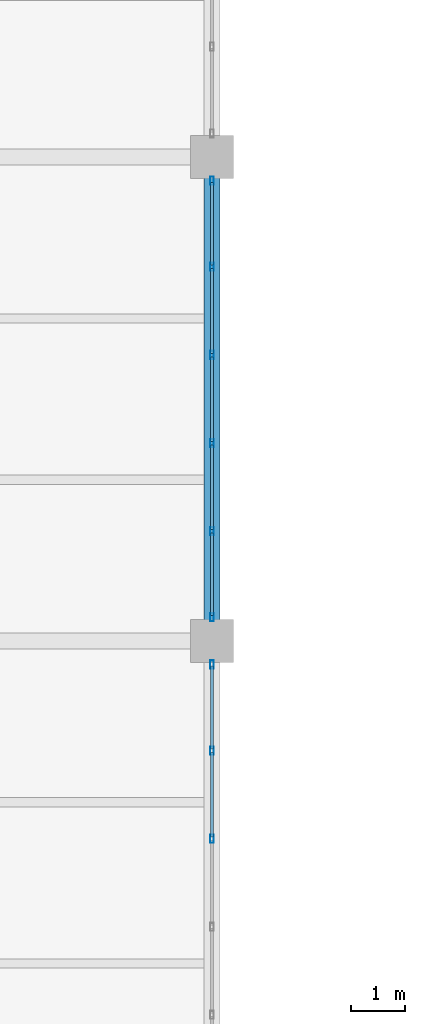
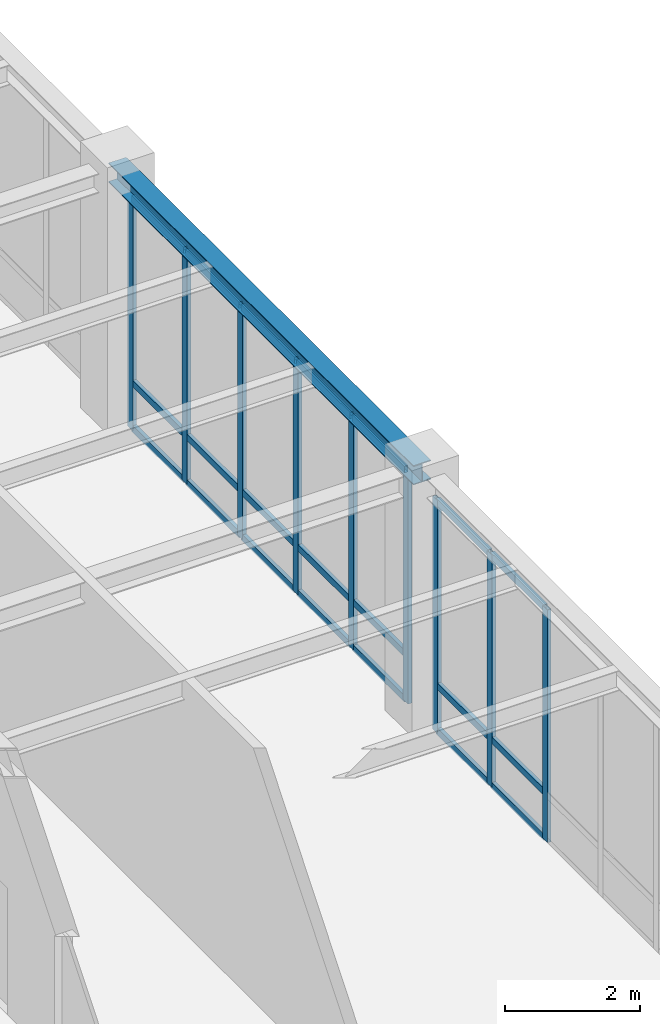
# One storey, part 24 of 92: 30 members, 1 beam, 2 elements without a shape of their own.
"""IFC4 building model written with IfcOpenShell, lengths in metres."""

from ifc_helpers import new_model, si_unit, direction, frame, origin, origin_2d, place, context, subcontext, project, spatial, hollow_rectangle, i_section, extrude, material, material_profile, profile_set, type_object, element, aggregate, save


model = new_model("IFC4")

# Units and contexts
model_context = context("Model", 3, precision=1e-05, world=origin(), true_north=direction((0.0, 1.0)))
body_context = subcontext(model_context, "Body", "Model", "MODEL_VIEW")
ifc_project = project(units=[si_unit("LENGTHUNIT", "METRE"), si_unit("AREAUNIT", "SQUARE_METRE"), si_unit("VOLUMEUNIT", "CUBIC_METRE"), si_unit("PLANEANGLEUNIT", "RADIAN"), si_unit("MASSUNIT", "GRAM", prefix="KILO")], contexts=[model_context])

# Site, building, storey
site_placement = place(None, origin())
site = spatial("IfcSite", under=ifc_project, at=site_placement, CompositionType="ELEMENT")
building_placement = place(site_placement, origin())
building = spatial("IfcBuilding", under=site, at=building_placement, Name="Lykobir Media Centre", CompositionType="ELEMENT")
storey_placement = place(building_placement, frame((0.0, 0.0, 5.39990234375)))
storey = spatial("IfcBuildingStorey", under=building, at=storey_placement, Name="L01", CompositionType="ELEMENT", Elevation=5.39990234375)

# Beam
ifc_material_1 = material(Name="Steel S355", Category="steel")
ifc_material_profile_1 = material_profile(ifc_material_1, i_section(OverallWidth=0.300048828125, OverallDepth=0.35009765625, WebThickness=0.010009765625, FlangeThickness=0.017578125, at=origin_2d()), Name="HEA 360")
ifc_profile_set_1 = profile_set([ifc_material_profile_1], Name="Steel S355")
beam_type = type_object("IfcBeamType", Name="BM-HEA360", PredefinedType="BEAM", material=ifc_profile_set_1)
beam_placement = place(storey_placement, frame((36.0, 36.0, 4.385009765625), z_axis=(0.0, 1.0, 0.0), x_axis=(-1.0, 0.0, 0.0)))
element("IfcBeam", 1, at=beam_placement, inside=storey, type_object=beam_type, Name="Beam BM-L01-0360-0360-0360-0450-978", PredefinedType="BEAM", context=body_context, shape_type="SweptSolid", body=[
    extrude(i_section(OverallWidth=0.300048828125, OverallDepth=0.35009765625, WebThickness=0.010009765625, FlangeThickness=0.017578125, at=origin_2d()), origin(), (0.0, 0.0, 1.0), 9.0),
])

# Curtain wall, members
ifc_material_2 = material(Name="Anodized Aluminium AW-6060", Category="aluminium")
curtain_wall_type = type_object("IfcCurtainWallType", Name="CW-COURT-A", PredefinedType="NOTDEFINED", material=ifc_material_2)
curtain_wall_1_placement = place(storey_placement, origin())
curtain_wall_1 = element("IfcCurtainWall", 2, at=curtain_wall_1_placement, inside=storey, type_object=curtain_wall_type, Name="Curtain wall CW2-L01-0049", PredefinedType="NOTDEFINED")
ifc_material_profile_2 = material_profile(ifc_material_2, hollow_rectangle(XDim=0.06494140625, YDim=0.14990234375, WallThickness=0.00341796875, at=origin_2d()), Name="ALU MULLION 65x150")
ifc_profile_set_2 = profile_set([ifc_material_profile_2], Name="Anodized Aluminium AW-6060")
member_type_1 = type_object("IfcMemberType", Name="CWM-150", PredefinedType="MULLION", material=ifc_profile_set_2)
member_1_placement = place(storey_placement, frame((36.0, 35.5625, 0.0), z_axis=(0.0, 0.0, 1.0), x_axis=(1.0, 0.0, 0.0)))
member_1 = element("IfcMember", 3, at=member_1_placement, type_object=member_type_1, Name="CW2-L01-0049 mullion 1", PredefinedType="MULLION", context=body_context, shape_type="SweptSolid", body=[
    extrude(hollow_rectangle(XDim=0.06494140625, YDim=0.14990234375, WallThickness=0.00341796875, at=origin_2d()), origin(), (0.0, 0.0, 1.0), 4.195068359375),
])
member_2_placement = place(storey_placement, frame((36.0, 33.95703125, 0.0), z_axis=(0.0, 0.0, 1.0), x_axis=(1.0, 0.0, 0.0)))
member_2 = element("IfcMember", 4, at=member_2_placement, type_object=member_type_1, Name="CW2-L01-0049 mullion 2", PredefinedType="MULLION", context=body_context, shape_type="SweptSolid", body=[
    extrude(hollow_rectangle(XDim=0.06494140625, YDim=0.14990234375, WallThickness=0.00341796875, at=origin_2d()), origin(), (0.0, 0.0, 1.0), 4.195068359375),
])
member_3_placement = place(storey_placement, frame((36.0, 32.319091796875, 0.0), z_axis=(0.0, 0.0, 1.0), x_axis=(1.0, 0.0, 0.0)))
member_3 = element("IfcMember", 5, at=member_3_placement, type_object=member_type_1, Name="CW2-L01-0049 mullion 3", PredefinedType="MULLION", context=body_context, shape_type="SweptSolid", body=[
    extrude(hollow_rectangle(XDim=0.06494140625, YDim=0.14990234375, WallThickness=0.00341796875, at=origin_2d()), origin(), (0.0, 0.0, 1.0), 4.195068359375),
])

curtain_wall_2_placement = place(storey_placement, origin())
curtain_wall_2 = element("IfcCurtainWall", 6, at=curtain_wall_2_placement, inside=storey, type_object=curtain_wall_type, Name="Curtain wall CW2-L01-0050", PredefinedType="NOTDEFINED")
member_4_placement = place(storey_placement, frame((36.0, 44.5625, 0.0), z_axis=(0.0, 0.0, 1.0), x_axis=(1.0, 0.0, 0.0)))
member_4 = element("IfcMember", 7, at=member_4_placement, type_object=member_type_1, Name="CW2-L01-0050 mullion 1", PredefinedType="MULLION", context=body_context, shape_type="SweptSolid", body=[
    extrude(hollow_rectangle(XDim=0.06494140625, YDim=0.14990234375, WallThickness=0.00341796875, at=origin_2d()), origin(), (0.0, 0.0, 1.0), 4.195068359375),
])
member_5_placement = place(storey_placement, frame((36.0, 42.95703125, 0.0), z_axis=(0.0, 0.0, 1.0), x_axis=(1.0, 0.0, 0.0)))
member_5 = element("IfcMember", 8, at=member_5_placement, type_object=member_type_1, Name="CW2-L01-0050 mullion 2", PredefinedType="MULLION", context=body_context, shape_type="SweptSolid", body=[
    extrude(hollow_rectangle(XDim=0.06494140625, YDim=0.14990234375, WallThickness=0.00341796875, at=origin_2d()), origin(), (0.0, 0.0, 1.0), 4.195068359375),
])
member_6_placement = place(storey_placement, frame((36.0, 41.319091796875, 0.0), z_axis=(0.0, 0.0, 1.0), x_axis=(1.0, 0.0, 0.0)))
member_6 = element("IfcMember", 9, at=member_6_placement, type_object=member_type_1, Name="CW2-L01-0050 mullion 3", PredefinedType="MULLION", context=body_context, shape_type="SweptSolid", body=[
    extrude(hollow_rectangle(XDim=0.06494140625, YDim=0.14990234375, WallThickness=0.00341796875, at=origin_2d()), origin(), (0.0, 0.0, 1.0), 4.195068359375),
])
member_7_placement = place(storey_placement, frame((36.0, 39.680908203125, 0.0), z_axis=(0.0, 0.0, 1.0), x_axis=(1.0, 0.0, 0.0)))
member_7 = element("IfcMember", 10, at=member_7_placement, type_object=member_type_1, Name="CW2-L01-0050 mullion 4", PredefinedType="MULLION", context=body_context, shape_type="SweptSolid", body=[
    extrude(hollow_rectangle(XDim=0.06494140625, YDim=0.14990234375, WallThickness=0.00341796875, at=origin_2d()), origin(), (0.0, 0.0, 1.0), 4.195068359375),
])
member_8_placement = place(storey_placement, frame((36.0, 38.04296875, 0.0), z_axis=(0.0, 0.0, 1.0), x_axis=(1.0, 0.0, 0.0)))
member_8 = element("IfcMember", 11, at=member_8_placement, type_object=member_type_1, Name="CW2-L01-0050 mullion 5", PredefinedType="MULLION", context=body_context, shape_type="SweptSolid", body=[
    extrude(hollow_rectangle(XDim=0.06494140625, YDim=0.14990234375, WallThickness=0.00341796875, at=origin_2d()), origin(), (0.0, 0.0, 1.0), 4.195068359375),
])
member_9_placement = place(storey_placement, frame((36.0, 36.4375, 0.0), z_axis=(0.0, 0.0, 1.0), x_axis=(1.0, 0.0, 0.0)))
member_9 = element("IfcMember", 12, at=member_9_placement, type_object=member_type_1, Name="CW2-L01-0050 mullion 6", PredefinedType="MULLION", context=body_context, shape_type="SweptSolid", body=[
    extrude(hollow_rectangle(XDim=0.06494140625, YDim=0.14990234375, WallThickness=0.00341796875, at=origin_2d()), origin(), (0.0, 0.0, 1.0), 4.195068359375),
])

# Member
ifc_material_profile_3 = material_profile(ifc_material_2, hollow_rectangle(XDim=0.06494140625, YDim=0.1201171875, WallThickness=0.0029296875, at=origin_2d()), Name="ALU TRANSOM 65x120")
ifc_profile_set_3 = profile_set([ifc_material_profile_3], Name="Anodized Aluminium AW-6060")
member_type_2 = type_object("IfcMemberType", Name="CWT-120", PredefinedType="USERDEFINED", material=ifc_profile_set_3)
member_10_placement = place(storey_placement, frame((36.0, 35.530029296875, 0.03271484375), z_axis=(0.0, -1.0, 0.0), x_axis=(1.0, 0.0, 0.0)))
member_10 = element("IfcMember", 13, at=member_10_placement, type_object=member_type_2, Name="CW2-L01-0049 transom 1.1", ObjectType="TRANSOM", PredefinedType="USERDEFINED", context=body_context, shape_type="SweptSolid", body=[
    extrude(hollow_rectangle(XDim=0.06494140625, YDim=0.1201171875, WallThickness=0.0029296875, at=origin_2d()), origin(), (0.0, 0.0, 1.0), 1.54052734375),
])

member_11_placement = place(storey_placement, frame((36.0, 35.530029296875, 0.85009765625), z_axis=(0.0, -1.0, 0.0), x_axis=(1.0, 0.0, 0.0)))
member_11 = element("IfcMember", 14, at=member_11_placement, type_object=member_type_2, Name="CW2-L01-0049 transom 1.2", ObjectType="TRANSOM", PredefinedType="USERDEFINED", context=body_context, shape_type="SweptSolid", body=[
    extrude(hollow_rectangle(XDim=0.06494140625, YDim=0.1201171875, WallThickness=0.0029296875, at=origin_2d()), origin(), (0.0, 0.0, 1.0), 1.54052734375),
])

member_12_placement = place(storey_placement, frame((36.0, 35.530029296875, 4.16259765625), z_axis=(0.0, -1.0, 0.0), x_axis=(1.0, 0.0, 0.0)))
member_12 = element("IfcMember", 15, at=member_12_placement, type_object=member_type_2, Name="CW2-L01-0049 transom 1.3", ObjectType="TRANSOM", PredefinedType="USERDEFINED", context=body_context, shape_type="SweptSolid", body=[
    extrude(hollow_rectangle(XDim=0.06494140625, YDim=0.1201171875, WallThickness=0.0029296875, at=origin_2d()), origin(), (0.0, 0.0, 1.0), 1.54052734375),
])

member_13_placement = place(storey_placement, frame((36.0, 33.924560546875, 0.03271484375), z_axis=(0.0, -1.0, 0.0), x_axis=(1.0, 0.0, 0.0)))
member_13 = element("IfcMember", 16, at=member_13_placement, type_object=member_type_2, Name="CW2-L01-0049 transom 2.1", ObjectType="TRANSOM", PredefinedType="USERDEFINED", context=body_context, shape_type="SweptSolid", body=[
    extrude(hollow_rectangle(XDim=0.06494140625, YDim=0.1201171875, WallThickness=0.0029296875, at=origin_2d()), origin(), (0.0, 0.0, 1.0), 1.572998046875),
])

member_14_placement = place(storey_placement, frame((36.0, 33.924560546875, 0.85009765625), z_axis=(0.0, -1.0, 0.0), x_axis=(1.0, 0.0, 0.0)))
member_14 = element("IfcMember", 17, at=member_14_placement, type_object=member_type_2, Name="CW2-L01-0049 transom 2.2", ObjectType="TRANSOM", PredefinedType="USERDEFINED", context=body_context, shape_type="SweptSolid", body=[
    extrude(hollow_rectangle(XDim=0.06494140625, YDim=0.1201171875, WallThickness=0.0029296875, at=origin_2d()), origin(), (0.0, 0.0, 1.0), 1.572998046875),
])

member_15_placement = place(storey_placement, frame((36.0, 33.924560546875, 4.16259765625), z_axis=(0.0, -1.0, 0.0), x_axis=(1.0, 0.0, 0.0)))
member_15 = element("IfcMember", 18, at=member_15_placement, type_object=member_type_2, Name="CW2-L01-0049 transom 2.3", ObjectType="TRANSOM", PredefinedType="USERDEFINED", context=body_context, shape_type="SweptSolid", body=[
    extrude(hollow_rectangle(XDim=0.06494140625, YDim=0.1201171875, WallThickness=0.0029296875, at=origin_2d()), origin(), (0.0, 0.0, 1.0), 1.572998046875),
])

aggregate(curtain_wall_1, [member_1, member_2, member_3, member_10, member_11, member_12, member_13, member_14, member_15])

member_16_placement = place(storey_placement, frame((36.0, 44.530029296875, 0.03271484375), z_axis=(0.0, -1.0, 0.0), x_axis=(1.0, 0.0, 0.0)))
member_16 = element("IfcMember", 19, at=member_16_placement, type_object=member_type_2, Name="CW2-L01-0050 transom 1.1", ObjectType="TRANSOM", PredefinedType="USERDEFINED", context=body_context, shape_type="SweptSolid", body=[
    extrude(hollow_rectangle(XDim=0.06494140625, YDim=0.1201171875, WallThickness=0.0029296875, at=origin_2d()), origin(), (0.0, 0.0, 1.0), 1.54052734375),
])

member_17_placement = place(storey_placement, frame((36.0, 44.530029296875, 0.85009765625), z_axis=(0.0, -1.0, 0.0), x_axis=(1.0, 0.0, 0.0)))
member_17 = element("IfcMember", 20, at=member_17_placement, type_object=member_type_2, Name="CW2-L01-0050 transom 1.2", ObjectType="TRANSOM", PredefinedType="USERDEFINED", context=body_context, shape_type="SweptSolid", body=[
    extrude(hollow_rectangle(XDim=0.06494140625, YDim=0.1201171875, WallThickness=0.0029296875, at=origin_2d()), origin(), (0.0, 0.0, 1.0), 1.54052734375),
])

member_18_placement = place(storey_placement, frame((36.0, 44.530029296875, 4.16259765625), z_axis=(0.0, -1.0, 0.0), x_axis=(1.0, 0.0, 0.0)))
member_18 = element("IfcMember", 21, at=member_18_placement, type_object=member_type_2, Name="CW2-L01-0050 transom 1.3", ObjectType="TRANSOM", PredefinedType="USERDEFINED", context=body_context, shape_type="SweptSolid", body=[
    extrude(hollow_rectangle(XDim=0.06494140625, YDim=0.1201171875, WallThickness=0.0029296875, at=origin_2d()), origin(), (0.0, 0.0, 1.0), 1.54052734375),
])

member_19_placement = place(storey_placement, frame((36.0, 42.924560546875, 0.03271484375), z_axis=(0.0, -1.0, 0.0), x_axis=(1.0, 0.0, 0.0)))
member_19 = element("IfcMember", 22, at=member_19_placement, type_object=member_type_2, Name="CW2-L01-0050 transom 2.1", ObjectType="TRANSOM", PredefinedType="USERDEFINED", context=body_context, shape_type="SweptSolid", body=[
    extrude(hollow_rectangle(XDim=0.06494140625, YDim=0.1201171875, WallThickness=0.0029296875, at=origin_2d()), origin(), (0.0, 0.0, 1.0), 1.572998046875),
])

member_20_placement = place(storey_placement, frame((36.0, 42.924560546875, 0.85009765625), z_axis=(0.0, -1.0, 0.0), x_axis=(1.0, 0.0, 0.0)))
member_20 = element("IfcMember", 23, at=member_20_placement, type_object=member_type_2, Name="CW2-L01-0050 transom 2.2", ObjectType="TRANSOM", PredefinedType="USERDEFINED", context=body_context, shape_type="SweptSolid", body=[
    extrude(hollow_rectangle(XDim=0.06494140625, YDim=0.1201171875, WallThickness=0.0029296875, at=origin_2d()), origin(), (0.0, 0.0, 1.0), 1.572998046875),
])

member_21_placement = place(storey_placement, frame((36.0, 42.924560546875, 4.16259765625), z_axis=(0.0, -1.0, 0.0), x_axis=(1.0, 0.0, 0.0)))
member_21 = element("IfcMember", 24, at=member_21_placement, type_object=member_type_2, Name="CW2-L01-0050 transom 2.3", ObjectType="TRANSOM", PredefinedType="USERDEFINED", context=body_context, shape_type="SweptSolid", body=[
    extrude(hollow_rectangle(XDim=0.06494140625, YDim=0.1201171875, WallThickness=0.0029296875, at=origin_2d()), origin(), (0.0, 0.0, 1.0), 1.572998046875),
])

member_22_placement = place(storey_placement, frame((36.0, 41.28662109375, 0.03271484375), z_axis=(0.0, -1.0, 0.0), x_axis=(1.0, 0.0, 0.0)))
member_22 = element("IfcMember", 25, at=member_22_placement, type_object=member_type_2, Name="CW2-L01-0050 transom 3.1", ObjectType="TRANSOM", PredefinedType="USERDEFINED", context=body_context, shape_type="SweptSolid", body=[
    extrude(hollow_rectangle(XDim=0.06494140625, YDim=0.1201171875, WallThickness=0.0029296875, at=origin_2d()), origin(), (0.0, 0.0, 1.0), 1.5732421875),
])

member_23_placement = place(storey_placement, frame((36.0, 41.28662109375, 0.85009765625), z_axis=(0.0, -1.0, 0.0), x_axis=(1.0, 0.0, 0.0)))
member_23 = element("IfcMember", 26, at=member_23_placement, type_object=member_type_2, Name="CW2-L01-0050 transom 3.2", ObjectType="TRANSOM", PredefinedType="USERDEFINED", context=body_context, shape_type="SweptSolid", body=[
    extrude(hollow_rectangle(XDim=0.06494140625, YDim=0.1201171875, WallThickness=0.0029296875, at=origin_2d()), origin(), (0.0, 0.0, 1.0), 1.5732421875),
])

member_24_placement = place(storey_placement, frame((36.0, 41.28662109375, 4.16259765625), z_axis=(0.0, -1.0, 0.0), x_axis=(1.0, 0.0, 0.0)))
member_24 = element("IfcMember", 27, at=member_24_placement, type_object=member_type_2, Name="CW2-L01-0050 transom 3.3", ObjectType="TRANSOM", PredefinedType="USERDEFINED", context=body_context, shape_type="SweptSolid", body=[
    extrude(hollow_rectangle(XDim=0.06494140625, YDim=0.1201171875, WallThickness=0.0029296875, at=origin_2d()), origin(), (0.0, 0.0, 1.0), 1.5732421875),
])

member_25_placement = place(storey_placement, frame((36.0, 39.6484375, 0.03271484375), z_axis=(0.0, -1.0, 0.0), x_axis=(1.0, 0.0, 0.0)))
member_25 = element("IfcMember", 28, at=member_25_placement, type_object=member_type_2, Name="CW2-L01-0050 transom 4.1", ObjectType="TRANSOM", PredefinedType="USERDEFINED", context=body_context, shape_type="SweptSolid", body=[
    extrude(hollow_rectangle(XDim=0.06494140625, YDim=0.1201171875, WallThickness=0.0029296875, at=origin_2d()), origin(), (0.0, 0.0, 1.0), 1.572998046875),
])

member_26_placement = place(storey_placement, frame((36.0, 39.6484375, 0.85009765625), z_axis=(0.0, -1.0, 0.0), x_axis=(1.0, 0.0, 0.0)))
member_26 = element("IfcMember", 29, at=member_26_placement, type_object=member_type_2, Name="CW2-L01-0050 transom 4.2", ObjectType="TRANSOM", PredefinedType="USERDEFINED", context=body_context, shape_type="SweptSolid", body=[
    extrude(hollow_rectangle(XDim=0.06494140625, YDim=0.1201171875, WallThickness=0.0029296875, at=origin_2d()), origin(), (0.0, 0.0, 1.0), 1.572998046875),
])

member_27_placement = place(storey_placement, frame((36.0, 39.6484375, 4.16259765625), z_axis=(0.0, -1.0, 0.0), x_axis=(1.0, 0.0, 0.0)))
member_27 = element("IfcMember", 30, at=member_27_placement, type_object=member_type_2, Name="CW2-L01-0050 transom 4.3", ObjectType="TRANSOM", PredefinedType="USERDEFINED", context=body_context, shape_type="SweptSolid", body=[
    extrude(hollow_rectangle(XDim=0.06494140625, YDim=0.1201171875, WallThickness=0.0029296875, at=origin_2d()), origin(), (0.0, 0.0, 1.0), 1.572998046875),
])

member_28_placement = place(storey_placement, frame((36.0, 38.010498046875, 0.03271484375), z_axis=(0.0, -1.0, 0.0), x_axis=(1.0, 0.0, 0.0)))
member_28 = element("IfcMember", 31, at=member_28_placement, type_object=member_type_2, Name="CW2-L01-0050 transom 5.1", ObjectType="TRANSOM", PredefinedType="USERDEFINED", context=body_context, shape_type="SweptSolid", body=[
    extrude(hollow_rectangle(XDim=0.06494140625, YDim=0.1201171875, WallThickness=0.0029296875, at=origin_2d()), origin(), (0.0, 0.0, 1.0), 1.54052734375),
])

member_29_placement = place(storey_placement, frame((36.0, 38.010498046875, 0.85009765625), z_axis=(0.0, -1.0, 0.0), x_axis=(1.0, 0.0, 0.0)))
member_29 = element("IfcMember", 32, at=member_29_placement, type_object=member_type_2, Name="CW2-L01-0050 transom 5.2", ObjectType="TRANSOM", PredefinedType="USERDEFINED", context=body_context, shape_type="SweptSolid", body=[
    extrude(hollow_rectangle(XDim=0.06494140625, YDim=0.1201171875, WallThickness=0.0029296875, at=origin_2d()), origin(), (0.0, 0.0, 1.0), 1.54052734375),
])

member_30_placement = place(storey_placement, frame((36.0, 38.010498046875, 4.16259765625), z_axis=(0.0, -1.0, 0.0), x_axis=(1.0, 0.0, 0.0)))
member_30 = element("IfcMember", 33, at=member_30_placement, type_object=member_type_2, Name="CW2-L01-0050 transom 5.3", ObjectType="TRANSOM", PredefinedType="USERDEFINED", context=body_context, shape_type="SweptSolid", body=[
    extrude(hollow_rectangle(XDim=0.06494140625, YDim=0.1201171875, WallThickness=0.0029296875, at=origin_2d()), origin(), (0.0, 0.0, 1.0), 1.54052734375),
])

aggregate(curtain_wall_2, [member_4, member_5, member_6, member_7, member_8, member_9, member_16, member_17, member_18, member_19, member_20, member_21, member_22, member_23, member_24, member_25, member_26, member_27, member_28, member_29, member_30])

save(model, "model.ifc")
